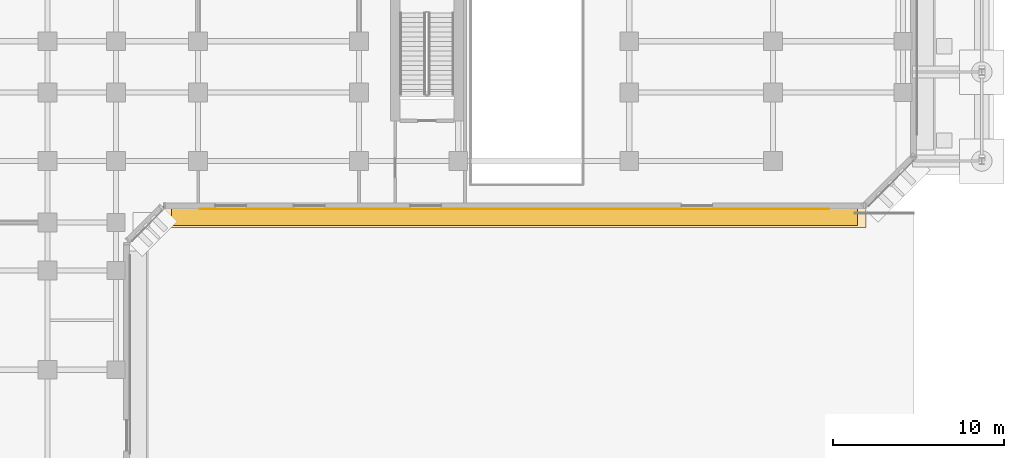
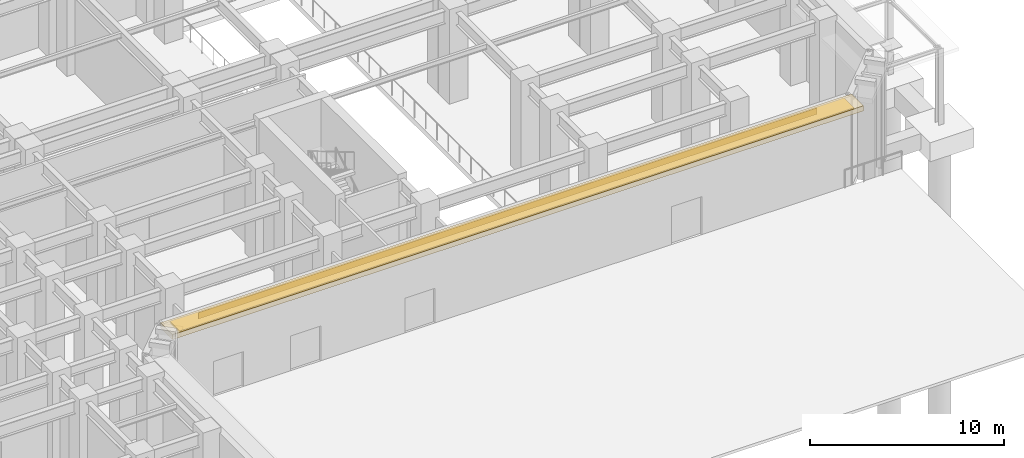
# One storey, part 13 of 18: 2 coverings, 1 shading device.
"""IFC4 building model written with IfcOpenShell, lengths in metres."""

from ifc_helpers import new_model, si_unit, direction, frame, origin, origin_2d, place, context, subcontext, project, spatial, rectangle, extrude, material, layer, layer_set, type_object, element, save


model = new_model("IFC4")

# Units and contexts
model_context = context("Model", 3, precision=1e-05, world=origin(), true_north=direction((0.0, 1.0)))
body_context = subcontext(model_context, "Body", "Model", "MODEL_VIEW")
ifc_project = project(units=[si_unit("LENGTHUNIT", "METRE"), si_unit("AREAUNIT", "SQUARE_METRE"), si_unit("VOLUMEUNIT", "CUBIC_METRE"), si_unit("PLANEANGLEUNIT", "RADIAN"), si_unit("MASSUNIT", "GRAM", prefix="KILO")], contexts=[model_context])

# Site, building, storey
site_placement = place(None, origin())
site = spatial("IfcSite", under=ifc_project, at=site_placement, CompositionType="ELEMENT")
building_placement = place(site_placement, origin())
building = spatial("IfcBuilding", under=site, at=building_placement, Name="Kefirva Bronze Tower", CompositionType="ELEMENT")
storey_placement = place(building_placement, origin())
storey = spatial("IfcBuildingStorey", under=building, at=storey_placement, Name="L00", CompositionType="ELEMENT", Elevation=0.0)

# Covering
ifc_material = material(Name="Bronze anodised aluminium", Category="aluminium")
ifc_layer_1 = layer(ifc_material, 0.02001953125, Name="Bronze anodised aluminium")
ifc_layer_set_1 = layer_set([ifc_layer_1], Name="Bronze anodised aluminium")
covering_type_1 = type_object("IfcCoveringType", Name="Anodised Bronze Spandrel Cladding 20mm", PredefinedType="CLADDING", material=ifc_layer_set_1)
covering_1_placement = place(storey_placement, frame((58.5, 15.989990234375, 5.199951171875), z_axis=(0.0, 0.0, 1.0), x_axis=(1.0, 0.0, 0.0)))
element("IfcCovering", 1, at=covering_1_placement, inside=storey, type_object=covering_type_1, Name="L00 Bronze Spandrel Cladding 5", PredefinedType="CLADDING", context=body_context, shape_type="SweptSolid", body=[
    extrude(rectangle(XDim=36.801025390625, YDim=0.02001953125, at=origin_2d()), origin(), (0.0, 0.0, 1.0), 0.39990234375),
])

# Shading device
ifc_layer_2 = layer(ifc_material, 0.1201171875, Name="Bronze anodised aluminium")
ifc_layer_set_2 = layer_set([ifc_layer_2], Name="Bronze anodised aluminium")
shading_device_type = type_object("IfcShadingDeviceType", Name="Podium Deep Bronze Canopy Sunshade 1050mm", PredefinedType="JALOUSIE", material=ifc_layer_set_2)
shading_device_placement = place(storey_placement, frame((58.5, 15.554931640625, 5.51513671875), z_axis=(0.0, 0.0, 1.0), x_axis=(1.0, 0.0, 0.0)))
element("IfcShadingDevice", 2, at=shading_device_placement, inside=storey, type_object=shading_device_type, Name="L00 Horizontal Bronze Sunshade Band 4", PredefinedType="JALOUSIE", context=body_context, shape_type="SweptSolid", body=[
    extrude(rectangle(XDim=40.090087890625, YDim=1.050048828125, at=origin_2d()), origin(), (0.0, 0.0, 1.0), 0.090087890625),
])

# Covering
ifc_layer_3 = layer(ifc_material, 0.179931640625, Name="Bronze anodised aluminium")
ifc_layer_set_3 = layer_set([ifc_layer_3], Name="Bronze anodised aluminium")
covering_type_2 = type_object("IfcCoveringType", Name="Streamline Bronze Sunshade Eyebrow Cladding 180mm", PredefinedType="CLADDING", material=ifc_layer_set_3)
covering_2_placement = place(storey_placement, frame((58.5, 15.5400390625, 5.2998046875), z_axis=(0.0, 0.0, 1.0), x_axis=(1.0, 0.0, 0.0)))
element("IfcCovering", 3, at=covering_2_placement, inside=storey, type_object=covering_type_2, Name="L00 Streamline Bronze Sunshade Eyebrow 4", PredefinedType="CLADDING", context=body_context, shape_type="SweptSolid", body=[
    extrude(rectangle(XDim=41.080078125, YDim=1.239990234375, at=origin_2d()), origin(), (0.0, 0.0, 1.0), 0.320068359375),
])

save(model, "model.ifc")
